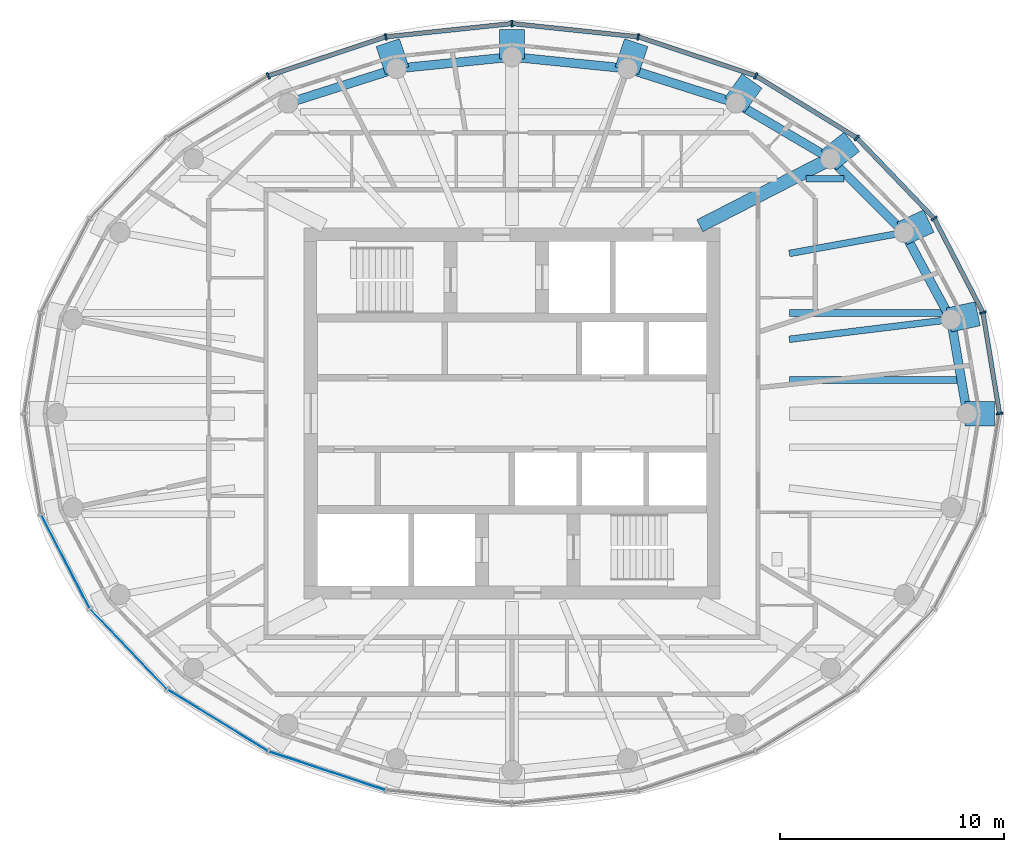
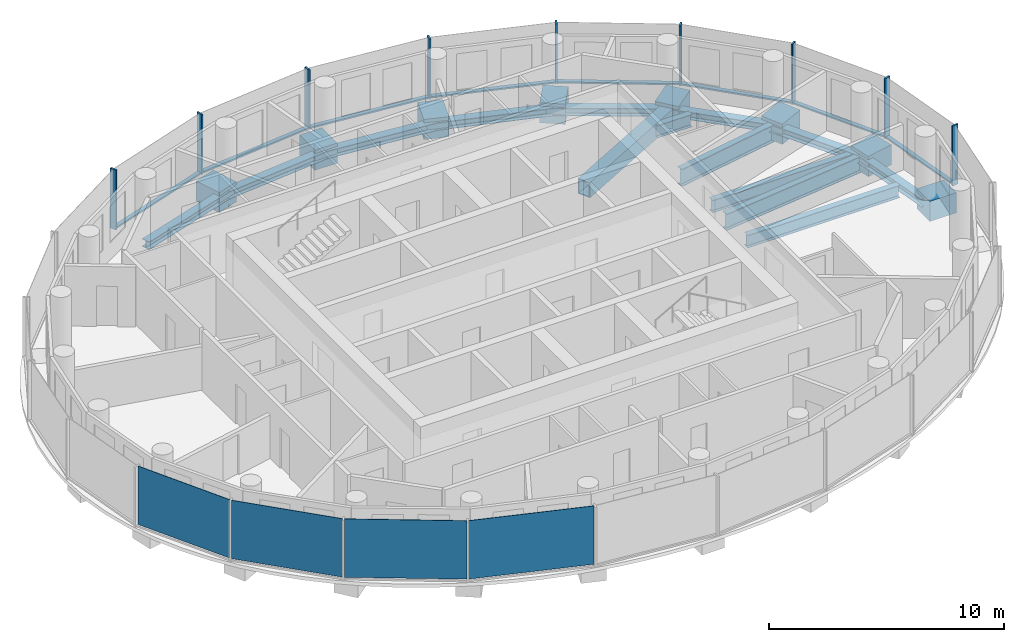
# One storey, part 3 of 11: 22 beams, 17 members, 4 plates, 3 elements without a shape of their own.
"""IFC4 building model written with IfcOpenShell, lengths in metres."""

from ifc_helpers import new_model, si_unit, direction, frame, origin, origin_2d, place, context, subcontext, project, spatial, rectangle, hollow_rectangle, i_section, extrude, material, layer, layer_set, material_profile, profile_set, type_object, element, aggregate, save


model = new_model("IFC4")

# Units and contexts
model_context = context("Model", 3, precision=1e-05, world=origin(), true_north=direction((0.0, 1.0)))
body_context = subcontext(model_context, "Body", "Model", "MODEL_VIEW")
ifc_project = project(units=[si_unit("LENGTHUNIT", "METRE"), si_unit("AREAUNIT", "SQUARE_METRE"), si_unit("VOLUMEUNIT", "CUBIC_METRE"), si_unit("PLANEANGLEUNIT", "RADIAN"), si_unit("MASSUNIT", "GRAM", prefix="KILO")], contexts=[model_context])

# Site, building, storey
site_placement = place(None, origin())
site = spatial("IfcSite", under=ifc_project, at=site_placement, CompositionType="ELEMENT")
building_placement = place(site_placement, origin())
building = spatial("IfcBuilding", under=site, at=building_placement, Name="Hankou Lantern Tower", CompositionType="ELEMENT")
storey_placement = place(building_placement, frame((0.0, 0.0, 192.89990234375)))
storey = spatial("IfcBuildingStorey", under=building, at=storey_placement, Name="L51", CompositionType="ELEMENT", Elevation=192.89990234375)

# Beams
ifc_material_1 = material(Name="Steel Q355B", Category="steel")
ifc_material_profile_1 = material_profile(ifc_material_1, i_section(OverallWidth=0.39990234375, OverallDepth=0.39990234375, WebThickness=0.012939453125, FlangeThickness=0.02099609375, FilletRadius=0.02197265625, at=origin_2d()), Name="HW400x400x13x21")
ifc_profile_set_1 = profile_set([ifc_material_profile_1], Name="Steel Q355B")
beam_type_1 = type_object("IfcBeamType", Name="EB19 RING BEAM HW400x400x13x21", PredefinedType="SPANDREL", material=ifc_profile_set_1)
beam_1_placement = place(storey_placement, frame((20.35009765625, 0.0, -0.3798828125), z_axis=(-0.168876512999, 0.98563721691, 0.0), x_axis=(-0.98563721691, -0.168876512999, 0.0)))
element("IfcBeam", 1, at=beam_1_placement, inside=storey, type_object=beam_type_1, Name="Ring beam R01-R02 L51", PredefinedType="SPANDREL", context=body_context, shape_type="SweptSolid", body=[
    extrude(i_section(OverallWidth=0.39990234375, OverallDepth=0.39990234375, WebThickness=0.012939453125, FlangeThickness=0.02099609375, FilletRadius=0.02197265625, at=origin_2d()), origin(), (0.0, 0.0, 1.0), 4.26904296875),
])
beam_2_placement = place(storey_placement, frame((19.629150390625, 4.207763671875, -0.3798828125), z_axis=(-0.474491806611, 0.880259919262, 0.0), x_axis=(-0.880259919262, -0.474491806611, 0.0)))
element("IfcBeam", 2, at=beam_2_placement, inside=storey, type_object=beam_type_1, Name="Ring beam R02-R03 L51", PredefinedType="SPANDREL", context=body_context, shape_type="SweptSolid", body=[
    extrude(i_section(OverallWidth=0.39990234375, OverallDepth=0.39990234375, WebThickness=0.012939453125, FlangeThickness=0.02099609375, FilletRadius=0.02197265625, at=origin_2d()), origin(), (0.0, 0.0, 1.0), 4.419189453125),
])
beam_3_placement = place(storey_placement, frame((17.5322265625, 8.097900390625, -0.3798828125), z_axis=(-0.706608588034, 0.707604623583, 0.0), x_axis=(-0.707604623583, -0.706608588034, 0.0)))
element("IfcBeam", 3, at=beam_3_placement, inside=storey, type_object=beam_type_1, Name="Ring beam R03-R04 L51", PredefinedType="SPANDREL", context=body_context, shape_type="SweptSolid", body=[
    extrude(i_section(OverallWidth=0.39990234375, OverallDepth=0.39990234375, WebThickness=0.012939453125, FlangeThickness=0.02099609375, FilletRadius=0.02197265625, at=origin_2d()), origin(), (0.0, 0.0, 1.0), 4.6572265625),
])
beam_4_placement = place(storey_placement, frame((14.241455078125, 11.393310546875, -0.3798828125), z_axis=(-0.861422897323, 0.507888365655, 0.0), x_axis=(-0.507888365655, -0.861422897323, 0.0)))
element("IfcBeam", 4, at=beam_4_placement, inside=storey, type_object=beam_type_1, Name="Ring beam R04-R05 L51", PredefinedType="SPANDREL", context=body_context, shape_type="SweptSolid", body=[
    extrude(i_section(OverallWidth=0.39990234375, OverallDepth=0.39990234375, WebThickness=0.012939453125, FlangeThickness=0.02099609375, FilletRadius=0.02197265625, at=origin_2d()), origin(), (0.0, 0.0, 1.0), 4.901611328125),
])
beam_5_placement = place(storey_placement, frame((10.01904296875, 13.8828125, -0.3798828125), z_axis=(-0.952887359315, 0.303324381574, 0.0), x_axis=(-0.303324381574, -0.952887359315, 0.0)))
element("IfcBeam", 5, at=beam_5_placement, inside=storey, type_object=beam_type_1, Name="Ring beam R05-R06 L51", PredefinedType="SPANDREL", context=body_context, shape_type="SweptSolid", body=[
    extrude(i_section(OverallWidth=0.39990234375, OverallDepth=0.39990234375, WebThickness=0.012939453125, FlangeThickness=0.02099609375, FilletRadius=0.02197265625, at=origin_2d()), origin(), (0.0, 0.0, 1.0), 5.091796875),
])
for number, where, z_axis, x_axis, name in (
    (6, (5.167236328125, 15.42724609375, -0.3798828125), (-0.994922507736, 0.100643944676, 0.0), (-0.100643944676, -0.994922507736, 0.0), "Ring beam R06-R07 L51"),
    (7, (0.0, 15.949951171875, -0.3798828125), (-0.994922507736, -0.100643944676, 0.0), (0.100643944676, -0.994922507736, 0.0), "Ring beam R07-R08 L51"),
):
    element("IfcBeam", number, at=place(storey_placement, frame(where, z_axis=z_axis, x_axis=x_axis)), inside=storey, type_object=beam_type_1, Name=name, PredefinedType="SPANDREL", context=body_context, shape_type="SweptSolid", body=[
        extrude(i_section(OverallWidth=0.39990234375, OverallDepth=0.39990234375, WebThickness=0.012939453125, FlangeThickness=0.02099609375, FilletRadius=0.02197265625, at=origin_2d()), origin(), (0.0, 0.0, 1.0), 5.193603515625),
    ])
beam_6_placement = place(storey_placement, frame((-5.167236328125, 15.42724609375, -0.3798828125), z_axis=(-0.952887359315, -0.303324381574, 0.0), x_axis=(0.303324381574, -0.952887359315, 0.0)))
element("IfcBeam", 8, at=beam_6_placement, inside=storey, type_object=beam_type_1, Name="Ring beam R08-R09 L51", PredefinedType="SPANDREL", context=body_context, shape_type="SweptSolid", body=[
    extrude(i_section(OverallWidth=0.39990234375, OverallDepth=0.39990234375, WebThickness=0.012939453125, FlangeThickness=0.02099609375, FilletRadius=0.02197265625, at=origin_2d()), origin(), (0.0, 0.0, 1.0), 5.091796875),
])

# Curtain wall, members
ifc_material_2 = material(Name="Glass, dark grey tinted laminated", Category="glass")
curtain_wall_type = type_object("IfcCurtainWallType", Name="CWD OUTER SKIN SUITE", PredefinedType="USERDEFINED", material=ifc_material_2)
curtain_wall_1_placement = place(storey_placement, origin())
curtain_wall_1 = element("IfcCurtainWall", 9, at=curtain_wall_1_placement, inside=storey, type_object=curtain_wall_type, Name="CWD L51 OS1", ObjectType="OUTER SKIN SUITE", PredefinedType="USERDEFINED")
ifc_material_3 = material(Name="Aluminium, black anodised", Category="aluminium")
ifc_material_profile_2 = material_profile(ifc_material_3, rectangle(XDim=0.080078125, YDim=0.300048828125, at=origin_2d()), Name="MU1 80X300")
ifc_profile_set_2 = profile_set([ifc_material_profile_2], Name="Aluminium, black anodised")
member_type_1 = type_object("IfcMemberType", Name="MU1 OUTER SKIN MULLION 80X300", PredefinedType="MULLION", material=ifc_profile_set_2)
member_1_placement = place(storey_placement, frame((21.800048828125, 0.0, 0.0), z_axis=(0.0, 0.0, 1.0), x_axis=(-0.162381515188, 0.986728049427, 0.0)))
member_1 = element("IfcMember", 10, at=member_1_placement, type_object=member_type_1, Name="CWD mullion 1", PredefinedType="MULLION", context=body_context, shape_type="SweptSolid", body=[
    extrude(rectangle(XDim=0.080078125, YDim=0.300048828125, at=origin_2d()), origin(), (0.0, 0.0, 1.0), 3.1201171875),
])
member_2_placement = place(storey_placement, frame((21.05712890625, 4.513916015625, 0.0), z_axis=(0.0, 0.0, 1.0), x_axis=(-0.317595577365, 0.94822626479, 0.0)))
member_2 = element("IfcMember", 11, at=member_2_placement, type_object=member_type_1, Name="CWD mullion 2", PredefinedType="MULLION", context=body_context, shape_type="SweptSolid", body=[
    extrude(rectangle(XDim=0.080078125, YDim=0.300048828125, at=origin_2d()), origin(), (0.0, 0.0, 1.0), 3.1201171875),
])
member_3_placement = place(storey_placement, frame((18.87939453125, 8.719970703125, 0.0), z_axis=(0.0, 0.0, 1.0), x_axis=(-0.585205735974, 0.810884854084, 0.0)))
member_3 = element("IfcMember", 12, at=member_3_placement, type_object=member_type_1, Name="CWD mullion 3", PredefinedType="MULLION", context=body_context, shape_type="SweptSolid", body=[
    extrude(rectangle(XDim=0.080078125, YDim=0.300048828125, at=origin_2d()), origin(), (0.0, 0.0, 1.0), 3.1201171875),
])
member_4_placement = place(storey_placement, frame((15.4150390625, 12.33203125, 0.0), z_axis=(0.0, 0.0, 1.0), x_axis=(-0.780868809444, 0.624695047553, 0.0)))
member_4 = element("IfcMember", 13, at=member_4_placement, type_object=member_type_1, Name="CWD mullion 4", PredefinedType="MULLION", context=body_context, shape_type="SweptSolid", body=[
    extrude(rectangle(XDim=0.080078125, YDim=0.300048828125, at=origin_2d()), origin(), (0.0, 0.0, 1.0), 3.1201171875),
])
member_5_placement = place(storey_placement, frame((10.89990234375, 15.103515625, 0.0), z_axis=(0.0, 0.0, 1.0), x_axis=(-0.907841299004, 0.419313934686, 0.0)))
member_5 = element("IfcMember", 14, at=member_5_placement, type_object=member_type_1, Name="CWD mullion 5", PredefinedType="MULLION", context=body_context, shape_type="SweptSolid", body=[
    extrude(rectangle(XDim=0.080078125, YDim=0.300048828125, at=origin_2d()), origin(), (0.0, 0.0, 1.0), 3.1201171875),
])
member_6_placement = place(storey_placement, frame((5.642333984375, 16.845703125, 0.0), z_axis=(0.0, 0.0, 1.0), x_axis=(-0.977787659625, 0.209597931016, 0.0)))
member_6 = element("IfcMember", 15, at=member_6_placement, type_object=member_type_1, Name="CWD mullion 6", PredefinedType="MULLION", context=body_context, shape_type="SweptSolid", body=[
    extrude(rectangle(XDim=0.080078125, YDim=0.300048828125, at=origin_2d()), origin(), (0.0, 0.0, 1.0), 3.1201171875),
])

curtain_wall_2_placement = place(storey_placement, origin())
curtain_wall_2 = element("IfcCurtainWall", 16, at=curtain_wall_2_placement, inside=storey, type_object=curtain_wall_type, Name="CWD L51 OS2", ObjectType="OUTER SKIN SUITE", PredefinedType="USERDEFINED")
member_7_placement = place(storey_placement, frame((0.0, 17.43994140625, 0.0), z_axis=(0.0, 0.0, 1.0), x_axis=(-0.994499359107, -0.104742659579, 0.0)))
member_7 = element("IfcMember", 17, at=member_7_placement, type_object=member_type_1, Name="CWD mullion 1", PredefinedType="MULLION", context=body_context, shape_type="SweptSolid", body=[
    extrude(rectangle(XDim=0.080078125, YDim=0.300048828125, at=origin_2d()), origin(), (0.0, 0.0, 1.0), 3.1201171875),
])
member_8_placement = place(storey_placement, frame((-5.642333984375, 16.845703125, 0.0), z_axis=(0.0, 0.0, 1.0), x_axis=(-0.977787659625, -0.209597931016, 0.0)))
member_8 = element("IfcMember", 18, at=member_8_placement, type_object=member_type_1, Name="CWD mullion 2", PredefinedType="MULLION", context=body_context, shape_type="SweptSolid", body=[
    extrude(rectangle(XDim=0.080078125, YDim=0.300048828125, at=origin_2d()), origin(), (0.0, 0.0, 1.0), 3.1201171875),
])
member_9_placement = place(storey_placement, frame((-10.89990234375, 15.103515625, 0.0), z_axis=(0.0, 0.0, 1.0), x_axis=(-0.907841299004, -0.419313934686, 0.0)))
member_9 = element("IfcMember", 19, at=member_9_placement, type_object=member_type_1, Name="CWD mullion 3", PredefinedType="MULLION", context=body_context, shape_type="SweptSolid", body=[
    extrude(rectangle(XDim=0.080078125, YDim=0.300048828125, at=origin_2d()), origin(), (0.0, 0.0, 1.0), 3.1201171875),
])

# Beams
ifc_material_4 = material(Name="Steel Q390GJ", Category="steel")
ifc_material_profile_3 = material_profile(ifc_material_4, hollow_rectangle(XDim=0.60009765625, YDim=0.800048828125, WallThickness=0.050048828125, at=origin_2d()), Name="BOX800x600x50")
ifc_profile_set_3 = profile_set([ifc_material_profile_3], Name="Steel Q390GJ")
beam_type_2 = type_object("IfcBeamType", Name="OT2 OUTRIGGER CHORD BOX800x600x50", PredefinedType="BEAM", material=ifc_profile_set_3)
beam_7_placement = place(storey_placement, frame((8.39990234375, 8.39990234375, -0.579833984375), z_axis=(0.889957215758, 0.456044026515, 0.0), x_axis=(-0.456044026515, 0.889957215758, 0.0)))
element("IfcBeam", 20, at=beam_7_placement, inside=storey, type_object=beam_type_2, Name="Radial beam R04 L51", PredefinedType="BEAM", context=body_context, shape_type="SweptSolid", body=[
    extrude(hollow_rectangle(XDim=0.60009765625, YDim=0.800048828125, WallThickness=0.050048828125, at=origin_2d()), origin(), (0.0, 0.0, 1.0), 6.56396484375),
])
ifc_material_5 = material(Name="Steel Q355B", Category="steel")
ifc_material_profile_4 = material_profile(ifc_material_5, i_section(OverallWidth=0.300048828125, OverallDepth=0.85009765625, WebThickness=0.01611328125, FlangeThickness=0.027099609375, FilletRadius=0.01806640625, at=origin_2d()), Name="HN850x300x16x27")
ifc_profile_set_4 = profile_set([ifc_material_profile_4], Name="Steel Q355B")
beam_type_3 = type_object("IfcBeamType", Name="RB12 RADIAL BEAM HN850x300x16x27", PredefinedType="BEAM", material=ifc_profile_set_4)
beam_8_placement = place(storey_placement, frame((12.39990234375, 3.322509765625, -0.60498046875), z_axis=(0.992585728443, 0.121546582396, 0.0), x_axis=(-0.121546582396, 0.992585728443, 0.0)))
element("IfcBeam", 21, at=beam_8_placement, inside=storey, type_object=beam_type_3, Name="Radial beam R02 L51", PredefinedType="BEAM", context=body_context, shape_type="SweptSolid", body=[
    extrude(i_section(OverallWidth=0.300048828125, OverallDepth=0.85009765625, WebThickness=0.01611328125, FlangeThickness=0.027099609375, FilletRadius=0.01806640625, at=origin_2d()), origin(), (0.0, 0.0, 1.0), 7.283203125),
])
ifc_material_6 = material(Name="Steel Q355B", Category="steel")
ifc_material_profile_5 = material_profile(ifc_material_6, i_section(OverallWidth=0.300048828125, OverallDepth=0.89990234375, WebThickness=0.01611328125, FlangeThickness=0.028076171875, FilletRadius=0.01806640625, at=origin_2d()), Name="HN900x300x16x28")
ifc_profile_set_5 = profile_set([ifc_material_profile_5], Name="Steel Q355B")
beam_type_4 = type_object("IfcBeamType", Name="RB13 RADIAL BEAM HN900x300x16x28", PredefinedType="BEAM", material=ifc_profile_set_5)
beam_9_placement = place(storey_placement, frame((12.39990234375, 7.1591796875, -0.6298828125), z_axis=(0.98368144672, 0.179918902228, 0.0), x_axis=(-0.179918902228, 0.98368144672, 0.0)))
element("IfcBeam", 22, at=beam_9_placement, inside=storey, type_object=beam_type_4, Name="Radial beam R03 L51", PredefinedType="BEAM", context=body_context, shape_type="SweptSolid", body=[
    extrude(i_section(OverallWidth=0.300048828125, OverallDepth=0.89990234375, WebThickness=0.01611328125, FlangeThickness=0.028076171875, FilletRadius=0.01806640625, at=origin_2d()), origin(), (0.0, 0.0, 1.0), 5.217529296875),
])
ifc_material_7 = material(Name="Steel Q355B", Category="steel")
ifc_material_profile_6 = material_profile(ifc_material_7, i_section(OverallWidth=0.300048828125, OverallDepth=0.64990234375, WebThickness=0.010986328125, FlangeThickness=0.01708984375, FilletRadius=0.01806640625, at=origin_2d()), Name="HN650x300x11x17")
ifc_profile_set_6 = profile_set([ifc_material_profile_6], Name="Steel Q355B")
beam_type_5 = type_object("IfcBeamType", Name="SB8 SECONDARY BEAM HN650x300x11x17", PredefinedType="JOIST", material=ifc_profile_set_6)
beam_10_placement = place(storey_placement, frame((12.39990234375, 1.5, -0.5048828125), z_axis=(1.0, 0.0, 0.0), x_axis=(0.0, 1.0, 0.0)))
element("IfcBeam", 23, at=beam_10_placement, inside=storey, type_object=beam_type_5, Name="Floor joist J020 L51", PredefinedType="JOIST", context=body_context, shape_type="SweptSolid", body=[
    extrude(i_section(OverallWidth=0.300048828125, OverallDepth=0.64990234375, WebThickness=0.010986328125, FlangeThickness=0.01708984375, FilletRadius=0.01806640625, at=origin_2d()), origin(), (0.0, 0.0, 1.0), 7.490234375),
])
beam_11_placement = place(storey_placement, frame((12.39990234375, 4.5, -0.5048828125), z_axis=(1.0, 0.0, 0.0), x_axis=(0.0, 1.0, 0.0)))
element("IfcBeam", 24, at=beam_11_placement, inside=storey, type_object=beam_type_5, Name="Floor joist J022 L51", PredefinedType="JOIST", context=body_context, shape_type="SweptSolid", body=[
    extrude(i_section(OverallWidth=0.300048828125, OverallDepth=0.64990234375, WebThickness=0.010986328125, FlangeThickness=0.01708984375, FilletRadius=0.01806640625, at=origin_2d()), origin(), (0.0, 0.0, 1.0), 6.844482421875),
])
beam_12_placement = place(storey_placement, frame((13.15625, 10.5, -0.5048828125), z_axis=(1.0, 0.0, 0.0), x_axis=(0.0, 1.0, 0.0)))
element("IfcBeam", 25, at=beam_12_placement, inside=storey, type_object=beam_type_5, Name="Floor joist J032 L51", PredefinedType="JOIST", context=body_context, shape_type="SweptSolid", body=[
    extrude(i_section(OverallWidth=0.300048828125, OverallDepth=0.64990234375, WebThickness=0.010986328125, FlangeThickness=0.01708984375, FilletRadius=0.01806640625, at=origin_2d()), origin(), (0.0, 0.0, 1.0), 1.694580078125),
])
ifc_material_8 = material(Name="Concrete C50", Category="concrete")
ifc_material_profile_7 = material_profile(ifc_material_8, rectangle(XDim=1.10009765625, YDim=1.050048828125, at=origin_2d()), Name="RC 1100x1050")
ifc_profile_set_7 = profile_set([ifc_material_profile_7], Name="Concrete C50")
beam_type_6 = type_object("IfcBeamType", Name="TN3 TRANSFER NODE RC 1100x1050", PredefinedType="BEAM", material=ifc_profile_set_7)
for number, where, z_axis, x_axis, name in (
    (26, (21.570068359375, 0.0, -0.52490234375), (-1.0, 0.0, 0.0), (0.0, -1.0, 0.0), "Transfer node R01 L51"),
    (27, (20.822021484375, 4.46337890625, -0.52490234375), (-0.977799707496, -0.209541719045, 0.0), (0.209541719045, -0.977799707496, 0.0), "Transfer node R02 L51"),
    (28, (18.639892578125, 8.609375, -0.52490234375), (-0.907867344, -0.419257541016, 0.0), (0.419257541016, -0.907867344, 0.0), "Transfer node R03 L51"),
):
    element("IfcBeam", number, at=place(storey_placement, frame(where, z_axis=z_axis, x_axis=x_axis)), inside=storey, type_object=beam_type_6, Name=name, PredefinedType="BEAM", context=body_context, shape_type="SweptSolid", body=[
        extrude(rectangle(XDim=1.10009765625, YDim=1.050048828125, at=origin_2d()), origin(), (0.0, 0.0, 1.0), 1.320068359375),
    ])
beam_13_placement = place(storey_placement, frame((15.194091796875, 12.1552734375, -0.52490234375), z_axis=(-0.780850761128, -0.62471760728, 0.0), x_axis=(0.62471760728, -0.780850761128, 0.0)))
element("IfcBeam", 29, at=beam_13_placement, inside=storey, type_object=beam_type_6, Name="Transfer node R04 L51", PredefinedType="BEAM", context=body_context, shape_type="SweptSolid", body=[
    extrude(rectangle(XDim=1.10009765625, YDim=1.050048828125, at=origin_2d()), origin(), (0.0, 0.0, 1.0), 1.31982421875),
])
beam_14_placement = place(storey_placement, frame((10.733154296875, 14.872314453125, -0.52490234375), z_axis=(-0.585132631737, -0.810937607512, 0.0), x_axis=(0.810937607512, -0.585132631737, 0.0)))
element("IfcBeam", 30, at=beam_14_placement, inside=storey, type_object=beam_type_6, Name="Transfer node R05 L51", PredefinedType="BEAM", context=body_context, shape_type="SweptSolid", body=[
    extrude(rectangle(XDim=1.10009765625, YDim=1.050048828125, at=origin_2d()), origin(), (0.0, 0.0, 1.0), 1.320068359375),
])
for number, where, z_axis, x_axis, name in (
    (31, (5.5546875, 16.583984375, -0.52490234375), (-0.317614795932, -0.948219827574, 0.0), (0.948219827574, -0.317614795932, 0.0), "Transfer node R06 L51"),
    (32, (0.0, 17.169921875, -0.52490234375), (0.0, -1.0, 0.0), (1.0, 0.0, 0.0), "Transfer node R07 L51"),
    (33, (-5.5546875, 16.583984375, -0.52490234375), (0.317614795932, -0.948219827574, 0.0), (0.948219827574, 0.317614795932, 0.0), "Transfer node R08 L51"),
):
    element("IfcBeam", number, at=place(storey_placement, frame(where, z_axis=z_axis, x_axis=x_axis)), inside=storey, type_object=beam_type_6, Name=name, PredefinedType="BEAM", context=body_context, shape_type="SweptSolid", body=[
        extrude(rectangle(XDim=1.10009765625, YDim=1.050048828125, at=origin_2d()), origin(), (0.0, 0.0, 1.0), 1.31982421875),
    ])

# Member
ifc_material_9 = material(Name="Aluminium, black anodised", Category="aluminium")
ifc_material_profile_8 = material_profile(ifc_material_9, rectangle(XDim=0.199951171875, YDim=0.080078125, at=origin_2d()), Name="TR1 200X80")
ifc_profile_set_8 = profile_set([ifc_material_profile_8], Name="Aluminium, black anodised")
member_type_2 = type_object("IfcMemberType", Name="TR1 OUTER SKIN TRANSOM 200X80", PredefinedType="USERDEFINED", material=ifc_profile_set_8)
member_10_placement = place(storey_placement, frame((21.79345703125, 0.03955078125, 0.0400390625), z_axis=(-0.162363822839, 0.986730960816, 0.0), x_axis=(-0.986730960816, -0.162363822839, 0.0)))
member_10 = element("IfcMember", 34, at=member_10_placement, type_object=member_type_2, Name="CWD transom 1", ObjectType="TRANSOM", PredefinedType="USERDEFINED", context=body_context, shape_type="SweptSolid", body=[
    extrude(rectangle(XDim=0.199951171875, YDim=0.080078125, at=origin_2d()), origin(), (0.0, 0.0, 1.0), 4.494384765625),
])

member_11_placement = place(storey_placement, frame((21.038818359375, 4.54931640625, 0.0400390625), z_axis=(-0.45979371115, 0.888025755925, 0.0), x_axis=(-0.888025755925, -0.45979371115, 0.0)))
member_11 = element("IfcMember", 35, at=member_11_placement, type_object=member_type_2, Name="CWD transom 2", ObjectType="TRANSOM", PredefinedType="USERDEFINED", context=body_context, shape_type="SweptSolid", body=[
    extrude(rectangle(XDim=0.199951171875, YDim=0.080078125, at=origin_2d()), origin(), (0.0, 0.0, 1.0), 4.65673828125),
])

member_12_placement = place(storey_placement, frame((18.8515625, 8.748779296875, 0.0400390625), z_axis=(-0.692204633274, 0.721701285626, 0.0), x_axis=(-0.721701285626, -0.692204633274, 0.0)))
member_12 = element("IfcMember", 36, at=member_12_placement, type_object=member_type_2, Name="CWD transom 3", ObjectType="TRANSOM", PredefinedType="USERDEFINED", context=body_context, shape_type="SweptSolid", body=[
    extrude(rectangle(XDim=0.199951171875, YDim=0.080078125, at=origin_2d()), origin(), (0.0, 0.0, 1.0), 4.9248046875),
])

member_13_placement = place(storey_placement, frame((15.380859375, 12.352783203125, 0.0400390625), z_axis=(-0.852234544008, 0.523159900986, 0.0), x_axis=(-0.523159900986, -0.852234544008, 0.0)))
member_13 = element("IfcMember", 37, at=member_13_placement, type_object=member_type_2, Name="CWD transom 4", ObjectType="TRANSOM", PredefinedType="USERDEFINED", context=body_context, shape_type="SweptSolid", body=[
    extrude(rectangle(XDim=0.199951171875, YDim=0.080078125, at=origin_2d()), origin(), (0.0, 0.0, 1.0), 5.2177734375),
])

member_14_placement = place(storey_placement, frame((10.862060546875, 15.115966796875, 0.0400390625), z_axis=(-0.949231947668, 0.314577032739, 0.0), x_axis=(-0.314577032739, -0.949231947668, 0.0)))
member_14 = element("IfcMember", 38, at=member_14_placement, type_object=member_type_2, Name="CWD transom 5", ObjectType="TRANSOM", PredefinedType="USERDEFINED", context=body_context, shape_type="SweptSolid", body=[
    extrude(rectangle(XDim=0.199951171875, YDim=0.080078125, at=origin_2d()), origin(), (0.0, 0.0, 1.0), 5.458984375),
])

member_15_placement = place(storey_placement, frame((5.6025390625, 16.849853515625, 0.0400390625), z_axis=(-0.994498275726, 0.104752945435, 0.0), x_axis=(-0.104752945435, -0.994498275726, 0.0)))
member_15 = element("IfcMember", 39, at=member_15_placement, type_object=member_type_2, Name="CWD transom 6", ObjectType="TRANSOM", PredefinedType="USERDEFINED", context=body_context, shape_type="SweptSolid", body=[
    extrude(rectangle(XDim=0.199951171875, YDim=0.080078125, at=origin_2d()), origin(), (0.0, 0.0, 1.0), 5.593505859375),
])

aggregate(curtain_wall_1, [member_1, member_2, member_3, member_4, member_5, member_6, member_10, member_11, member_12, member_13, member_14, member_15])

member_16_placement = place(storey_placement, frame((-0.039794921875, 17.435791015625, 0.0400390625), z_axis=(-0.994498275726, -0.104752945435, 0.0), x_axis=(0.104752945435, -0.994498275726, 0.0)))
member_16 = element("IfcMember", 40, at=member_16_placement, type_object=member_type_2, Name="CWD transom 1", ObjectType="TRANSOM", PredefinedType="USERDEFINED", context=body_context, shape_type="SweptSolid", body=[
    extrude(rectangle(XDim=0.199951171875, YDim=0.080078125, at=origin_2d()), origin(), (0.0, 0.0, 1.0), 5.593505859375),
])

member_17_placement = place(storey_placement, frame((-5.68017578125, 16.833251953125, 0.0400390625), z_axis=(-0.949231947668, -0.314577032739, 0.0), x_axis=(0.314577032739, -0.949231947668, 0.0)))
member_17 = element("IfcMember", 41, at=member_17_placement, type_object=member_type_2, Name="CWD transom 2", ObjectType="TRANSOM", PredefinedType="USERDEFINED", context=body_context, shape_type="SweptSolid", body=[
    extrude(rectangle(XDim=0.199951171875, YDim=0.080078125, at=origin_2d()), origin(), (0.0, 0.0, 1.0), 5.458984375),
])

aggregate(curtain_wall_2, [member_7, member_8, member_9, member_16, member_17])

# Curtain wall, plates
curtain_wall_3_placement = place(storey_placement, origin())
curtain_wall_3 = element("IfcCurtainWall", 42, at=curtain_wall_3_placement, inside=storey, type_object=curtain_wall_type, Name="CWD L51 OS3", ObjectType="OUTER SKIN SUITE", PredefinedType="USERDEFINED")
ifc_material_10 = material(Name="Glass, dark grey tinted laminated", Category="glass")
ifc_layer = layer(ifc_material_10, 0.02392578125)
ifc_layer_set = layer_set([ifc_layer], Name="Glass, dark grey tinted laminated")
plate_type = type_object("IfcPlateType", Name="PN1 OUTER SKIN GLASS PANEL", PredefinedType="CURTAIN_PANEL", material=ifc_layer_set)
plate_1_placement = place(storey_placement, frame((-19.96826171875, -6.616943359375, 0.080078125), z_axis=(0.0, 0.0, 1.0), x_axis=(0.459791091957, -0.888027112062, 0.0)))
plate_1 = element("IfcPlate", 43, at=plate_1_placement, type_object=plate_type, Name="CWD glass panel 2", PredefinedType="CURTAIN_PANEL", context=body_context, shape_type="SweptSolid", body=[
    extrude(rectangle(XDim=4.656494140625, YDim=0.02392578125, at=origin_2d()), origin(), (0.0, 0.0, 1.0), 3.0400390625),
])
plate_2_placement = place(storey_placement, frame((-17.147216796875, -10.52587890625, 0.080078125), z_axis=(0.0, 0.0, 1.0), x_axis=(0.692215809936, -0.721690565599, 0.0)))
plate_2 = element("IfcPlate", 44, at=plate_2_placement, type_object=plate_type, Name="CWD glass panel 3", PredefinedType="CURTAIN_PANEL", context=body_context, shape_type="SweptSolid", body=[
    extrude(rectangle(XDim=4.9248046875, YDim=0.02392578125, at=origin_2d()), origin(), (0.0, 0.0, 1.0), 3.0400390625),
])
plate_3_placement = place(storey_placement, frame((-13.157470703125, -13.7177734375, 0.080078125), z_axis=(0.0, 0.0, 1.0), x_axis=(0.852237151549, -0.523155653242, 0.0)))
plate_3 = element("IfcPlate", 45, at=plate_3_placement, type_object=plate_type, Name="CWD glass panel 4", PredefinedType="CURTAIN_PANEL", context=body_context, shape_type="SweptSolid", body=[
    extrude(rectangle(XDim=5.2177734375, YDim=0.02392578125, at=origin_2d()), origin(), (0.0, 0.0, 1.0), 3.0400390625),
])
plate_4_placement = place(storey_placement, frame((-8.271240234375, -15.974609375, 0.080078125), z_axis=(0.0, 0.0, 1.0), x_axis=(0.949240677293, -0.31455068999, 0.0)))
plate_4 = element("IfcPlate", 46, at=plate_4_placement, type_object=plate_type, Name="CWD glass panel 5", PredefinedType="CURTAIN_PANEL", context=body_context, shape_type="SweptSolid", body=[
    extrude(rectangle(XDim=5.458984375, YDim=0.02392578125, at=origin_2d()), origin(), (0.0, 0.0, 1.0), 3.0400390625),
])
aggregate(curtain_wall_3, [plate_1, plate_2, plate_3, plate_4])

save(model, "model.ifc")
